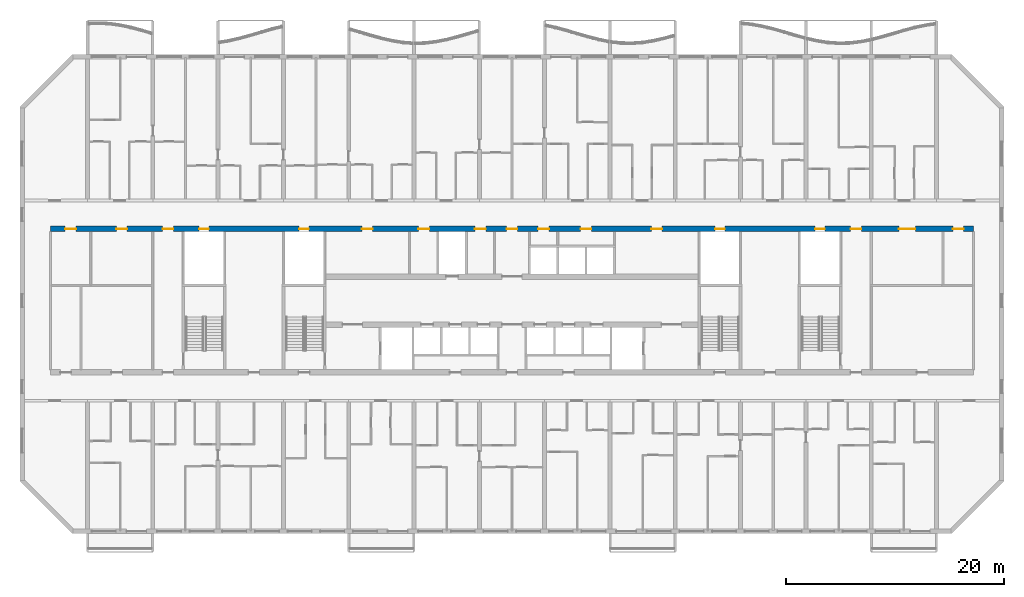
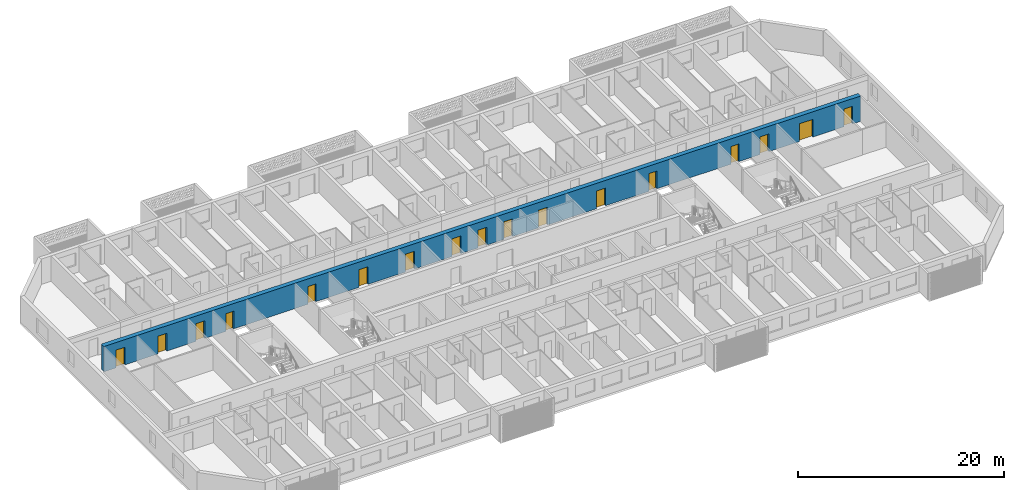
# One storey, part 8 of 24: 17 doors, 1 wall, 17 openings.
"""IFC4 building model written with IfcOpenShell, lengths in metres."""

from ifc_helpers import new_model, si_unit, direction, frame, frame_2d, origin, place, context, subcontext, project, spatial, rectangle, extrude, material, layer, layer_set, type_object, element, fill, save


model = new_model("IFC4")

# Units and contexts
model_context = context("Model", 3, precision=1e-05, world=origin(), true_north=direction((0.0, 1.0)))
body_context = subcontext(model_context, "Body", "Model", "MODEL_VIEW")
ifc_project = project(units=[si_unit("LENGTHUNIT", "METRE"), si_unit("AREAUNIT", "SQUARE_METRE"), si_unit("VOLUMEUNIT", "CUBIC_METRE"), si_unit("PLANEANGLEUNIT", "RADIAN"), si_unit("MASSUNIT", "GRAM", prefix="KILO")], contexts=[model_context])

# Site, building, storey
site_placement = place(None, origin())
site = spatial("IfcSite", under=ifc_project, at=site_placement, CompositionType="ELEMENT")
building_placement = place(site_placement, origin())
building = spatial("IfcBuilding", under=site, at=building_placement, Name="Poui Terraces", CompositionType="ELEMENT")
storey_placement = place(building_placement, frame((0.0, 0.0, 102.60009765625)))
storey = spatial("IfcBuildingStorey", under=building, at=storey_placement, Name="L28", CompositionType="ELEMENT", Elevation=102.60009765625)

# Wall, openings, doors
ifc_material_1 = material(Name="Concrete 65 MPa", Category="concrete")
ifc_layer = layer(ifc_material_1, 0.5)
ifc_layer_set = layer_set([ifc_layer], Name="Concrete 65 MPa")
wall_type = type_object("IfcWallType", Name="SPINE WALL 500 65 MPA", PredefinedType="SOLIDWALL", material=ifc_layer_set)
wall_placement = place(storey_placement, frame((8.60009765625, 27.800048828125, 0.0), z_axis=(0.0, 0.0, 1.0), x_axis=(1.0, 0.0, 0.0)))
wall = element("IfcWall", 1, at=wall_placement, inside=storey, type_object=wall_type, Name="SPINE WALL", PredefinedType="SOLIDWALL", context=body_context, shape_type="SweptSolid", body=[
    extrude(rectangle(XDim=84.7998046875, YDim=0.5, at=frame_2d((42.39990234375, 0.0))), origin(), (0.0, 0.0, 1.0), 3.0),
])
opening_1_placement = place(wall_placement, frame((1.35009765625, 0.0, 0.0)))
opening_1 = element("IfcOpeningElement", 2, at=opening_1_placement, cuts=wall, Name="Opening D100", PredefinedType="OPENING", context=body_context, shape_type="SweptSolid", body=[
    extrude(rectangle(XDim=1.0, YDim=2.10009765625, at=frame_2d((0.5, 1.050048828125))), frame((0.0, 0.260009765625, 0.0), z_axis=(0.0, -1.0, 0.0), x_axis=(1.0, 0.0, 0.0)), (0.0, 0.0, 1.0), 0.52001953125),
])
opening_2_placement = place(wall_placement, frame((6.050048828125, 0.0, 0.0)))
opening_2 = element("IfcOpeningElement", 3, at=opening_2_placement, cuts=wall, Name="Opening FD60", PredefinedType="OPENING", context=body_context, shape_type="SweptSolid", body=[
    extrude(rectangle(XDim=1.0, YDim=2.10009765625, at=frame_2d((0.5, 1.050048828125))), frame((0.0, 0.260009765625, 0.0), z_axis=(0.0, -1.0, 0.0), x_axis=(1.0, 0.0, 0.0)), (0.0, 0.0, 1.0), 0.52001953125),
])
opening_3_placement = place(wall_placement, frame((10.300048828125, 0.0, 0.0)))
opening_3 = element("IfcOpeningElement", 4, at=opening_3_placement, cuts=wall, Name="Opening FDL", PredefinedType="OPENING", context=body_context, shape_type="SweptSolid", body=[
    extrude(rectangle(XDim=1.0, YDim=2.10009765625, at=frame_2d((0.5, 1.050048828125))), frame((0.0, 0.260009765625, 0.0), z_axis=(0.0, -1.0, 0.0), x_axis=(1.0, 0.0, 0.0)), (0.0, 0.0, 1.0), 0.52001953125),
])
opening_4_placement = place(wall_placement, frame((13.64990234375, 0.0, 0.0)))
opening_4 = element("IfcOpeningElement", 5, at=opening_4_placement, cuts=wall, Name="Opening FDR", PredefinedType="OPENING", context=body_context, shape_type="SweptSolid", body=[
    extrude(rectangle(XDim=0.89990234375, YDim=2.10009765625, at=frame_2d((0.449951171875, 1.050048828125))), frame((0.0, 0.260009765625, 0.0), z_axis=(0.0, -1.0, 0.0), x_axis=(1.0, 0.0, 0.0)), (0.0, 0.0, 1.0), 0.52001953125),
])
opening_5_placement = place(wall_placement, frame((22.85009765625, 0.0, 0.0)))
opening_5 = element("IfcOpeningElement", 6, at=opening_5_placement, cuts=wall, Name="Opening FDR", PredefinedType="OPENING", context=body_context, shape_type="SweptSolid", body=[
    extrude(rectangle(XDim=0.89990234375, YDim=2.10009765625, at=frame_2d((0.449951171875, 1.050048828125))), frame((0.0, 0.260009765625, 0.0), z_axis=(0.0, -1.0, 0.0), x_axis=(1.0, 0.0, 0.0)), (0.0, 0.0, 1.0), 0.52001953125),
])
opening_6_placement = place(wall_placement, frame((28.60009765625, 0.0, 0.0)))
opening_6 = element("IfcOpeningElement", 7, at=opening_6_placement, cuts=wall, Name="Opening FD60", PredefinedType="OPENING", context=body_context, shape_type="SweptSolid", body=[
    extrude(rectangle(XDim=1.0, YDim=2.10009765625, at=frame_2d((0.5, 1.050048828125))), frame((0.0, 0.260009765625, 0.0), z_axis=(0.0, -1.0, 0.0), x_axis=(1.0, 0.0, 0.0)), (0.0, 0.0, 1.0), 0.52001953125),
])
opening_7_placement = place(wall_placement, frame((33.800048828125, 0.0, 0.0)))
opening_7 = element("IfcOpeningElement", 8, at=opening_7_placement, cuts=wall, Name="Opening FD60", PredefinedType="OPENING", context=body_context, shape_type="SweptSolid", body=[
    extrude(rectangle(XDim=1.0, YDim=2.10009765625, at=frame_2d((0.5, 1.050048828125))), frame((0.0, 0.260009765625, 0.0), z_axis=(0.0, -1.0, 0.0), x_axis=(1.0, 0.0, 0.0)), (0.0, 0.0, 1.0), 0.52001953125),
])
opening_8_placement = place(wall_placement, frame((39.0, 0.0, 0.0)))
opening_8 = element("IfcOpeningElement", 9, at=opening_8_placement, cuts=wall, Name="Opening FD60", PredefinedType="OPENING", context=body_context, shape_type="SweptSolid", body=[
    extrude(rectangle(XDim=1.0, YDim=2.10009765625, at=frame_2d((0.5, 1.050048828125))), frame((0.0, 0.260009765625, 0.0), z_axis=(0.0, -1.0, 0.0), x_axis=(1.0, 0.0, 0.0)), (0.0, 0.0, 1.0), 0.52001953125),
])
opening_9_placement = place(wall_placement, frame((41.89990234375, 0.0, 0.0)))
opening_9 = element("IfcOpeningElement", 10, at=opening_9_placement, cuts=wall, Name="Opening FDL", PredefinedType="OPENING", context=body_context, shape_type="SweptSolid", body=[
    extrude(rectangle(XDim=1.0, YDim=2.10009765625, at=frame_2d((0.5, 1.050048828125))), frame((0.0, 0.260009765625, 0.0), z_axis=(0.0, -1.0, 0.0), x_axis=(1.0, 0.0, 0.0)), (0.0, 0.0, 1.0), 0.52001953125),
])
opening_10_placement = place(wall_placement, frame((44.800048828125, 0.0, 0.0)))
opening_10 = element("IfcOpeningElement", 11, at=opening_10_placement, cuts=wall, Name="Opening FD60", PredefinedType="OPENING", context=body_context, shape_type="SweptSolid", body=[
    extrude(rectangle(XDim=1.0, YDim=2.10009765625, at=frame_2d((0.5, 1.050048828125))), frame((0.0, 0.260009765625, 0.0), z_axis=(0.0, -1.0, 0.0), x_axis=(1.0, 0.0, 0.0)), (0.0, 0.0, 1.0), 0.52001953125),
])
opening_11_placement = place(wall_placement, frame((48.699951171875, 0.0, 0.0)))
opening_11 = element("IfcOpeningElement", 12, at=opening_11_placement, cuts=wall, Name="Opening FD60", PredefinedType="OPENING", context=body_context, shape_type="SweptSolid", body=[
    extrude(rectangle(XDim=1.0, YDim=2.10009765625, at=frame_2d((0.5, 1.050048828125))), frame((0.0, 0.260009765625, 0.0), z_axis=(0.0, -1.0, 0.0), x_axis=(1.0, 0.0, 0.0)), (0.0, 0.0, 1.0), 0.52001953125),
])
opening_12_placement = place(wall_placement, frame((55.199951171875, 0.0, 0.0)))
opening_12 = element("IfcOpeningElement", 13, at=opening_12_placement, cuts=wall, Name="Opening FD60", PredefinedType="OPENING", context=body_context, shape_type="SweptSolid", body=[
    extrude(rectangle(XDim=1.0, YDim=2.10009765625, at=frame_2d((0.5, 1.050048828125))), frame((0.0, 0.260009765625, 0.0), z_axis=(0.0, -1.0, 0.0), x_axis=(1.0, 0.0, 0.0)), (0.0, 0.0, 1.0), 0.52001953125),
])
opening_13_placement = place(wall_placement, frame((61.050048828125, 0.0, 0.0)))
opening_13 = element("IfcOpeningElement", 14, at=opening_13_placement, cuts=wall, Name="Opening FDR", PredefinedType="OPENING", context=body_context, shape_type="SweptSolid", body=[
    extrude(rectangle(XDim=0.89990234375, YDim=2.10009765625, at=frame_2d((0.449951171875, 1.050048828125))), frame((0.0, 0.260009765625, 0.0), z_axis=(0.0, -1.0, 0.0), x_axis=(1.0, 0.0, 0.0)), (0.0, 0.0, 1.0), 0.52001953125),
])
opening_14_placement = place(wall_placement, frame((70.25, 0.0, 0.0)))
opening_14 = element("IfcOpeningElement", 15, at=opening_14_placement, cuts=wall, Name="Opening FDR", PredefinedType="OPENING", context=body_context, shape_type="SweptSolid", body=[
    extrude(rectangle(XDim=0.89990234375, YDim=2.10009765625, at=frame_2d((0.449951171875, 1.050048828125))), frame((0.0, 0.260009765625, 0.0), z_axis=(0.0, -1.0, 0.0), x_axis=(1.0, 0.0, 0.0)), (0.0, 0.0, 1.0), 0.52001953125),
])
opening_15_placement = place(wall_placement, frame((73.5, 0.0, 0.0)))
opening_15 = element("IfcOpeningElement", 16, at=opening_15_placement, cuts=wall, Name="Opening FDL", PredefinedType="OPENING", context=body_context, shape_type="SweptSolid", body=[
    extrude(rectangle(XDim=1.0, YDim=2.10009765625, at=frame_2d((0.5, 1.050048828125))), frame((0.0, 0.260009765625, 0.0), z_axis=(0.0, -1.0, 0.0), x_axis=(1.0, 0.0, 0.0)), (0.0, 0.0, 1.0), 0.52001953125),
])
opening_16_placement = place(wall_placement, frame((77.949951171875, 0.0, 0.0)))
opening_16 = element("IfcOpeningElement", 17, at=opening_16_placement, cuts=wall, Name="Opening FDP", PredefinedType="OPENING", context=body_context, shape_type="SweptSolid", body=[
    extrude(rectangle(XDim=1.5, YDim=2.10009765625, at=frame_2d((0.75, 1.050048828125))), frame((0.0, 0.260009765625, 0.0), z_axis=(0.0, -1.0, 0.0), x_axis=(1.0, 0.0, 0.0)), (0.0, 0.0, 1.0), 0.52001953125),
])
opening_17_placement = place(wall_placement, frame((82.89990234375, 0.0, 0.0)))
opening_17 = element("IfcOpeningElement", 18, at=opening_17_placement, cuts=wall, Name="Opening D100", PredefinedType="OPENING", context=body_context, shape_type="SweptSolid", body=[
    extrude(rectangle(XDim=1.0, YDim=2.10009765625, at=frame_2d((0.5, 1.050048828125))), frame((0.0, 0.260009765625, 0.0), z_axis=(0.0, -1.0, 0.0), x_axis=(1.0, 0.0, 0.0)), (0.0, 0.0, 1.0), 0.52001953125),
])
ifc_material_2 = material(Name="Solid core timber door", Category="wood")
door_type_1 = type_object("IfcDoorType", Name="ACCESSIBLE INTERNAL DOOR 1000 X 2100", OperationType="NOTDEFINED", PredefinedType="DOOR", material=ifc_material_2)
door_1_placement = place(opening_1_placement, origin())
door_1 = element("IfcDoor", 19, at=door_1_placement, inside=storey, type_object=door_type_1, Name="ACCESSIBLE INTERNAL DOOR 001", OperationType="SINGLE_SWING_LEFT", OverallHeight=2.10009765625, OverallWidth=1.0, PredefinedType="DOOR", context=body_context, shape_type="SweptSolid", body=[
    extrude(rectangle(XDim=1.0, YDim=2.10009765625, at=frame_2d((0.5, 1.050048828125))), frame((0.0, 0.02490234375, 0.0), z_axis=(0.0, -1.0, 0.0), x_axis=(1.0, 0.0, 0.0)), (0.0, 0.0, 1.0), 0.050048828125),
])
fill(opening_1, door_1)
door_2_placement = place(opening_17_placement, origin())
door_2 = element("IfcDoor", 20, at=door_2_placement, inside=storey, type_object=door_type_1, Name="ACCESSIBLE INTERNAL DOOR 017", OperationType="SINGLE_SWING_LEFT", OverallHeight=2.10009765625, OverallWidth=1.0, PredefinedType="DOOR", context=body_context, shape_type="SweptSolid", body=[
    extrude(rectangle(XDim=1.0, YDim=2.10009765625, at=frame_2d((0.5, 1.050048828125))), frame((0.0, 0.02490234375, 0.0), z_axis=(0.0, -1.0, 0.0), x_axis=(1.0, 0.0, 0.0)), (0.0, 0.0, 1.0), 0.050048828125),
])
fill(opening_17, door_2)
ifc_material_3 = material(Name="Steel fire door", Category="steel")
door_type_2 = type_object("IfcDoorType", Name="LOBBY FIRE DOOR 1000 X 2100", OperationType="NOTDEFINED", PredefinedType="DOOR", material=ifc_material_3)
door_3_placement = place(opening_3_placement, origin())
door_3 = element("IfcDoor", 21, at=door_3_placement, inside=storey, type_object=door_type_2, Name="LOBBY FIRE DOOR 003", OperationType="SINGLE_SWING_LEFT", OverallHeight=2.10009765625, OverallWidth=1.0, PredefinedType="DOOR", context=body_context, shape_type="SweptSolid", body=[
    extrude(rectangle(XDim=1.0, YDim=2.10009765625, at=frame_2d((0.5, 1.050048828125))), frame((0.0, 0.02490234375, 0.0), z_axis=(0.0, -1.0, 0.0), x_axis=(1.0, 0.0, 0.0)), (0.0, 0.0, 1.0), 0.050048828125),
])
fill(opening_3, door_3)
door_4_placement = place(opening_9_placement, origin())
door_4 = element("IfcDoor", 22, at=door_4_placement, inside=storey, type_object=door_type_2, Name="LOBBY FIRE DOOR 009", OperationType="SINGLE_SWING_RIGHT", OverallHeight=2.10009765625, OverallWidth=1.0, PredefinedType="DOOR", context=body_context, shape_type="SweptSolid", body=[
    extrude(rectangle(XDim=1.0, YDim=2.10009765625, at=frame_2d((0.5, 1.050048828125))), frame((0.0, 0.02490234375, 0.0), z_axis=(0.0, -1.0, 0.0), x_axis=(1.0, 0.0, 0.0)), (0.0, 0.0, 1.0), 0.050048828125),
])
fill(opening_9, door_4)
door_5_placement = place(opening_15_placement, origin())
door_5 = element("IfcDoor", 23, at=door_5_placement, inside=storey, type_object=door_type_2, Name="LOBBY FIRE DOOR 015", OperationType="SINGLE_SWING_RIGHT", OverallHeight=2.10009765625, OverallWidth=1.0, PredefinedType="DOOR", context=body_context, shape_type="SweptSolid", body=[
    extrude(rectangle(XDim=1.0, YDim=2.10009765625, at=frame_2d((0.5, 1.050048828125))), frame((0.0, 0.02490234375, 0.0), z_axis=(0.0, -1.0, 0.0), x_axis=(1.0, 0.0, 0.0)), (0.0, 0.0, 1.0), 0.050048828125),
])
fill(opening_15, door_5)
door_type_3 = type_object("IfcDoorType", Name="PLANT ROOM DOOR PAIR 1500 X 2100", OperationType="DOUBLE_DOOR_SINGLE_SWING", PredefinedType="DOOR", material=ifc_material_3)
door_6_placement = place(opening_16_placement, origin())
door_6 = element("IfcDoor", 24, at=door_6_placement, inside=storey, type_object=door_type_3, Name="PLANT ROOM DOOR PAIR 016", OperationType="DOUBLE_DOOR_SINGLE_SWING", OverallHeight=2.10009765625, OverallWidth=1.5, PredefinedType="DOOR", context=body_context, shape_type="SweptSolid", body=[
    extrude(rectangle(XDim=1.5, YDim=2.10009765625, at=frame_2d((0.75, 1.050048828125))), frame((0.0, 0.02490234375, 0.0), z_axis=(0.0, -1.0, 0.0), x_axis=(1.0, 0.0, 0.0)), (0.0, 0.0, 1.0), 0.050048828125),
])
fill(opening_16, door_6)
door_type_4 = type_object("IfcDoorType", Name="RISER CUPBOARD DOOR 900 X 2100", OperationType="NOTDEFINED", PredefinedType="DOOR", material=ifc_material_3)
door_7_placement = place(opening_4_placement, origin())
door_7 = element("IfcDoor", 25, at=door_7_placement, inside=storey, type_object=door_type_4, Name="RISER CUPBOARD DOOR 004", OperationType="SINGLE_SWING_LEFT", OverallHeight=2.10009765625, OverallWidth=0.89990234375, PredefinedType="DOOR", context=body_context, shape_type="SweptSolid", body=[
    extrude(rectangle(XDim=0.89990234375, YDim=2.10009765625, at=frame_2d((0.449951171875, 1.050048828125))), frame((0.0, 0.02490234375, 0.0), z_axis=(0.0, -1.0, 0.0), x_axis=(1.0, 0.0, 0.0)), (0.0, 0.0, 1.0), 0.050048828125),
])
fill(opening_4, door_7)
door_8_placement = place(opening_5_placement, origin())
door_8 = element("IfcDoor", 26, at=door_8_placement, inside=storey, type_object=door_type_4, Name="RISER CUPBOARD DOOR 005", OperationType="SINGLE_SWING_LEFT", OverallHeight=2.10009765625, OverallWidth=0.89990234375, PredefinedType="DOOR", context=body_context, shape_type="SweptSolid", body=[
    extrude(rectangle(XDim=0.89990234375, YDim=2.10009765625, at=frame_2d((0.449951171875, 1.050048828125))), frame((0.0, 0.02490234375, 0.0), z_axis=(0.0, -1.0, 0.0), x_axis=(1.0, 0.0, 0.0)), (0.0, 0.0, 1.0), 0.050048828125),
])
fill(opening_5, door_8)
door_9_placement = place(opening_13_placement, origin())
door_9 = element("IfcDoor", 27, at=door_9_placement, inside=storey, type_object=door_type_4, Name="RISER CUPBOARD DOOR 013", OperationType="SINGLE_SWING_RIGHT", OverallHeight=2.10009765625, OverallWidth=0.89990234375, PredefinedType="DOOR", context=body_context, shape_type="SweptSolid", body=[
    extrude(rectangle(XDim=0.89990234375, YDim=2.10009765625, at=frame_2d((0.449951171875, 1.050048828125))), frame((0.0, 0.02490234375, 0.0), z_axis=(0.0, -1.0, 0.0), x_axis=(1.0, 0.0, 0.0)), (0.0, 0.0, 1.0), 0.050048828125),
])
fill(opening_13, door_9)
door_10_placement = place(opening_14_placement, origin())
door_10 = element("IfcDoor", 28, at=door_10_placement, inside=storey, type_object=door_type_4, Name="RISER CUPBOARD DOOR 014", OperationType="SINGLE_SWING_RIGHT", OverallHeight=2.10009765625, OverallWidth=0.89990234375, PredefinedType="DOOR", context=body_context, shape_type="SweptSolid", body=[
    extrude(rectangle(XDim=0.89990234375, YDim=2.10009765625, at=frame_2d((0.449951171875, 1.050048828125))), frame((0.0, 0.02490234375, 0.0), z_axis=(0.0, -1.0, 0.0), x_axis=(1.0, 0.0, 0.0)), (0.0, 0.0, 1.0), 0.050048828125),
])
fill(opening_14, door_10)
door_type_5 = type_object("IfcDoorType", Name="SERVICE ROOM FIRE DOOR 1000 X 2100", OperationType="NOTDEFINED", PredefinedType="DOOR", material=ifc_material_3)
door_11_placement = place(opening_2_placement, origin())
door_11 = element("IfcDoor", 29, at=door_11_placement, inside=storey, type_object=door_type_5, Name="SERVICE ROOM FIRE DOOR 002", OperationType="SINGLE_SWING_RIGHT", OverallHeight=2.10009765625, OverallWidth=1.0, PredefinedType="DOOR", context=body_context, shape_type="SweptSolid", body=[
    extrude(rectangle(XDim=1.0, YDim=2.10009765625, at=frame_2d((0.5, 1.050048828125))), frame((0.0, 0.02490234375, 0.0), z_axis=(0.0, -1.0, 0.0), x_axis=(1.0, 0.0, 0.0)), (0.0, 0.0, 1.0), 0.050048828125),
])
fill(opening_2, door_11)
door_12_placement = place(opening_6_placement, origin())
door_12 = element("IfcDoor", 30, at=door_12_placement, inside=storey, type_object=door_type_5, Name="SERVICE ROOM FIRE DOOR 006", OperationType="SINGLE_SWING_LEFT", OverallHeight=2.10009765625, OverallWidth=1.0, PredefinedType="DOOR", context=body_context, shape_type="SweptSolid", body=[
    extrude(rectangle(XDim=1.0, YDim=2.10009765625, at=frame_2d((0.5, 1.050048828125))), frame((0.0, 0.02490234375, 0.0), z_axis=(0.0, -1.0, 0.0), x_axis=(1.0, 0.0, 0.0)), (0.0, 0.0, 1.0), 0.050048828125),
])
fill(opening_6, door_12)
door_13_placement = place(opening_7_placement, origin())
door_13 = element("IfcDoor", 31, at=door_13_placement, inside=storey, type_object=door_type_5, Name="SERVICE ROOM FIRE DOOR 007", OperationType="SINGLE_SWING_RIGHT", OverallHeight=2.10009765625, OverallWidth=1.0, PredefinedType="DOOR", context=body_context, shape_type="SweptSolid", body=[
    extrude(rectangle(XDim=1.0, YDim=2.10009765625, at=frame_2d((0.5, 1.050048828125))), frame((0.0, 0.02490234375, 0.0), z_axis=(0.0, -1.0, 0.0), x_axis=(1.0, 0.0, 0.0)), (0.0, 0.0, 1.0), 0.050048828125),
])
fill(opening_7, door_13)
door_14_placement = place(opening_8_placement, origin())
door_14 = element("IfcDoor", 32, at=door_14_placement, inside=storey, type_object=door_type_5, Name="SERVICE ROOM FIRE DOOR 008", OperationType="SINGLE_SWING_LEFT", OverallHeight=2.10009765625, OverallWidth=1.0, PredefinedType="DOOR", context=body_context, shape_type="SweptSolid", body=[
    extrude(rectangle(XDim=1.0, YDim=2.10009765625, at=frame_2d((0.5, 1.050048828125))), frame((0.0, 0.02490234375, 0.0), z_axis=(0.0, -1.0, 0.0), x_axis=(1.0, 0.0, 0.0)), (0.0, 0.0, 1.0), 0.050048828125),
])
fill(opening_8, door_14)
door_15_placement = place(opening_10_placement, origin())
door_15 = element("IfcDoor", 33, at=door_15_placement, inside=storey, type_object=door_type_5, Name="SERVICE ROOM FIRE DOOR 010", OperationType="SINGLE_SWING_RIGHT", OverallHeight=2.10009765625, OverallWidth=1.0, PredefinedType="DOOR", context=body_context, shape_type="SweptSolid", body=[
    extrude(rectangle(XDim=1.0, YDim=2.10009765625, at=frame_2d((0.5, 1.050048828125))), frame((0.0, 0.02490234375, 0.0), z_axis=(0.0, -1.0, 0.0), x_axis=(1.0, 0.0, 0.0)), (0.0, 0.0, 1.0), 0.050048828125),
])
fill(opening_10, door_15)
door_16_placement = place(opening_11_placement, origin())
door_16 = element("IfcDoor", 34, at=door_16_placement, inside=storey, type_object=door_type_5, Name="SERVICE ROOM FIRE DOOR 011", OperationType="SINGLE_SWING_LEFT", OverallHeight=2.10009765625, OverallWidth=1.0, PredefinedType="DOOR", context=body_context, shape_type="SweptSolid", body=[
    extrude(rectangle(XDim=1.0, YDim=2.10009765625, at=frame_2d((0.5, 1.050048828125))), frame((0.0, 0.02490234375, 0.0), z_axis=(0.0, -1.0, 0.0), x_axis=(1.0, 0.0, 0.0)), (0.0, 0.0, 1.0), 0.050048828125),
])
fill(opening_11, door_16)
door_17_placement = place(opening_12_placement, origin())
door_17 = element("IfcDoor", 35, at=door_17_placement, inside=storey, type_object=door_type_5, Name="SERVICE ROOM FIRE DOOR 012", OperationType="SINGLE_SWING_RIGHT", OverallHeight=2.10009765625, OverallWidth=1.0, PredefinedType="DOOR", context=body_context, shape_type="SweptSolid", body=[
    extrude(rectangle(XDim=1.0, YDim=2.10009765625, at=frame_2d((0.5, 1.050048828125))), frame((0.0, 0.02490234375, 0.0), z_axis=(0.0, -1.0, 0.0), x_axis=(1.0, 0.0, 0.0)), (0.0, 0.0, 1.0), 0.050048828125),
])
fill(opening_12, door_17)

save(model, "model.ifc")
